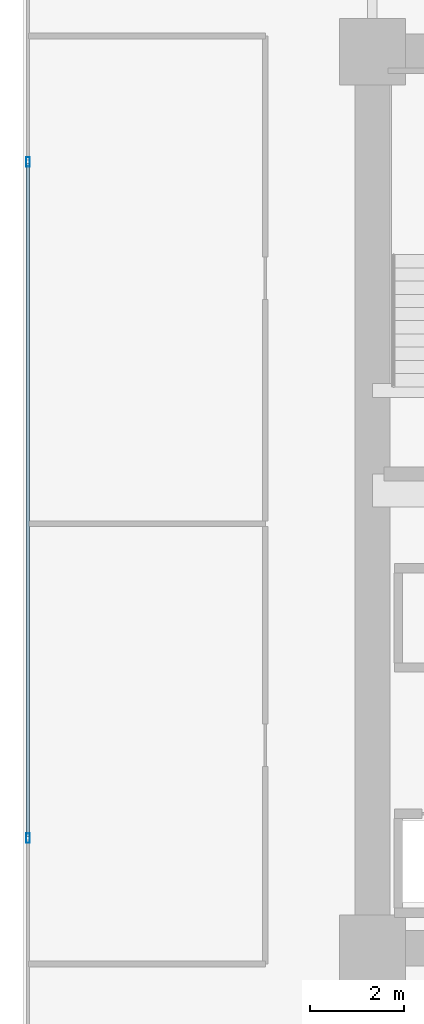
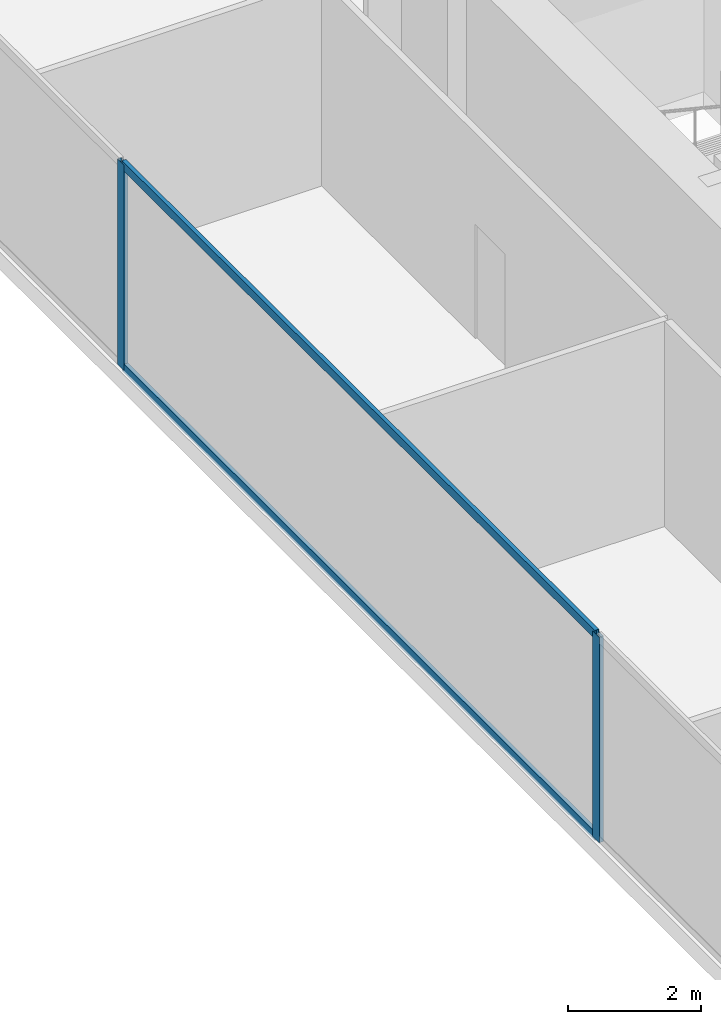
# One storey, part 6 of 35: 4 members, 1 element without a shape of its own.
"""IFC4 building model written with IfcOpenShell, lengths in metres."""

from ifc_helpers import new_model, si_unit, direction, frame, origin, origin_2d, place, context, subcontext, project, spatial, hollow_rectangle, extrude, source, transform, mapped, material, layer, layer_set, material_profile, profile_set, type_object, type_shapes, element, aggregate, save


model = new_model("IFC4")

# Units and contexts
model_context = context("Model", 3, precision=1e-05, world=origin(), true_north=direction((0.0, 1.0)))
body_context = subcontext(model_context, "Body", "Model", "MODEL_VIEW")
ifc_project = project(units=[si_unit("LENGTHUNIT", "METRE"), si_unit("AREAUNIT", "SQUARE_METRE"), si_unit("VOLUMEUNIT", "CUBIC_METRE"), si_unit("PLANEANGLEUNIT", "RADIAN"), si_unit("MASSUNIT", "GRAM", prefix="KILO")], contexts=[model_context])

# Site, building, storey
site_placement = place(None, origin())
site = spatial("IfcSite", under=ifc_project, at=site_placement, CompositionType="ELEMENT")
building_placement = place(site_placement, origin())
building = spatial("IfcBuilding", under=site, at=building_placement, Name="Haelvirn Gate Laboratories", CompositionType="ELEMENT")
storey_placement = place(building_placement, frame((0.0, 0.0, 86.699951171875)))
storey = spatial("IfcBuildingStorey", under=building, at=storey_placement, Name="L21", CompositionType="ELEMENT", Elevation=86.699951171875)

# Curtain wall, members
ifc_material_1 = material(Name="Anodised bronze unitised aluminium & triple low-E glass", Category="aluminium")
ifc_layer = layer(ifc_material_1, 0.18408203125, Name="CW-SYS-2")
ifc_layer_set = layer_set([ifc_layer], Name="Anodised bronze unitised aluminium & triple low-E glass")
curtain_wall_type = type_object("IfcCurtainWallType", Name="CW-SYS-2", PredefinedType="NOTDEFINED", material=ifc_layer_set)
curtain_wall_placement = place(storey_placement, origin())
curtain_wall = element("IfcCurtainWall", 1, at=curtain_wall_placement, inside=storey, type_object=curtain_wall_type, Name="L21 Unitised Curtain Wall CW-L21-P0-E17", PredefinedType="NOTDEFINED")
ifc_material_2 = material(Name="Extruded aluminium 6063-T6 (anodised bronze)", Category="aluminium")
ifc_material_profile_1 = material_profile(ifc_material_2, hollow_rectangle(XDim=0.074951171875, YDim=0.199951171875, WallThickness=0.0048828125, at=origin_2d()), Name="CWM-200x75x5")
ifc_profile_set_1 = profile_set([ifc_material_profile_1], Name="Extruded aluminium 6063-T6 (anodised bronze)")
member_type_1 = type_object("IfcMemberType", Name="CWM-T200", PredefinedType="MULLION", material=ifc_profile_set_1)
shared_shape_1 = source(origin(), body_context, "Body", "SweptSolid", [
    extrude(hollow_rectangle(XDim=0.074951171875, YDim=0.199951171875, WallThickness=0.0048828125, at=origin_2d()), origin(), (0.0, 0.0, 1.0), 3.780029296875),
])
type_shapes(member_type_1, [shared_shape_1])
member_1_placement = place(storey_placement, frame((0.10009765625, 31.466552734375, 0.0), z_axis=(0.0, 0.0, 1.0), x_axis=(1.0, 0.0, 0.0)))
member_1 = element("IfcMember", 2, at=member_1_placement, type_object=member_type_1, Name="CW2 mullion 2", PredefinedType="MULLION", context=body_context, shape_type="MappedRepresentation", body=[
    mapped(shared_shape_1, transform((0.0, 0.0, 0.0), scale=1.0)),
])
member_2_placement = place(storey_placement, frame((0.10009765625, 17.13330078125, 0.0), z_axis=(0.0, 0.0, 1.0), x_axis=(1.0, 0.0, 0.0)))
member_2 = element("IfcMember", 3, at=member_2_placement, type_object=member_type_1, Name="CW2 mullion 3", PredefinedType="MULLION", context=body_context, shape_type="MappedRepresentation", body=[
    mapped(shared_shape_1, transform((0.0, 0.0, 0.0), scale=1.0)),
])
ifc_material_profile_2 = material_profile(ifc_material_2, hollow_rectangle(XDim=0.070068359375, YDim=0.159912109375, WallThickness=0.0048828125, at=origin_2d()), Name="CWT-160x70x5")
ifc_profile_set_2 = profile_set([ifc_material_profile_2], Name="Extruded aluminium 6063-T6 (anodised bronze)")
member_type_2 = type_object("IfcMemberType", Name="CWT-T160", PredefinedType="USERDEFINED", material=ifc_profile_set_2)
shared_shape_2 = source(origin(), body_context, "Body", "SweptSolid", [
    extrude(hollow_rectangle(XDim=0.070068359375, YDim=0.159912109375, WallThickness=0.0048828125, at=origin_2d()), origin(), (0.0, 0.0, 1.0), 14.25830078125),
])
type_shapes(member_type_2, [shared_shape_2])
member_3_placement = place(storey_placement, frame((0.10009765625, 31.42919921875, 0.03515625), z_axis=(0.0, -1.0, 0.0), x_axis=(1.0, 0.0, 0.0)))
member_3 = element("IfcMember", 4, at=member_3_placement, type_object=member_type_2, Name="CW2 transom 2.1", ObjectType="TRANSOM", PredefinedType="USERDEFINED", context=body_context, shape_type="MappedRepresentation", body=[
    mapped(shared_shape_2, transform((0.0, 0.0, 0.0), scale=1.0)),
])
member_4_placement = place(storey_placement, frame((0.10009765625, 31.42919921875, 3.7451171875), z_axis=(0.0, -1.0, 0.0), x_axis=(1.0, 0.0, 0.0)))
member_4 = element("IfcMember", 5, at=member_4_placement, type_object=member_type_2, Name="CW2 transom 2.2", ObjectType="TRANSOM", PredefinedType="USERDEFINED", context=body_context, shape_type="MappedRepresentation", body=[
    mapped(shared_shape_2, transform((0.0, 0.0, 0.0), scale=1.0)),
])
aggregate(curtain_wall, [member_1, member_2, member_3, member_4])

save(model, "model.ifc")
